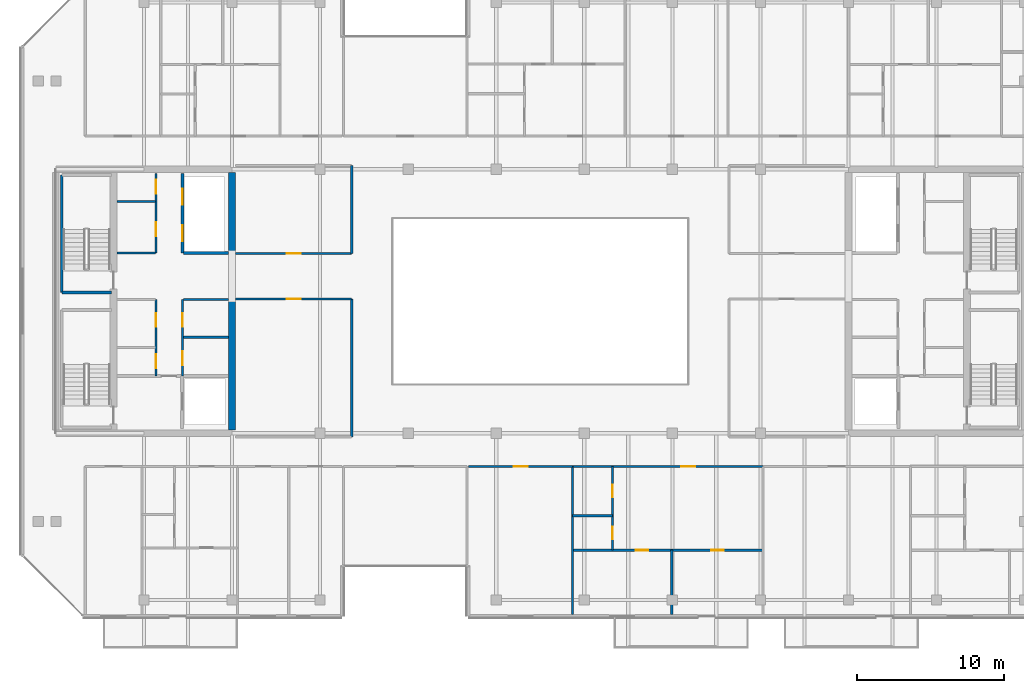
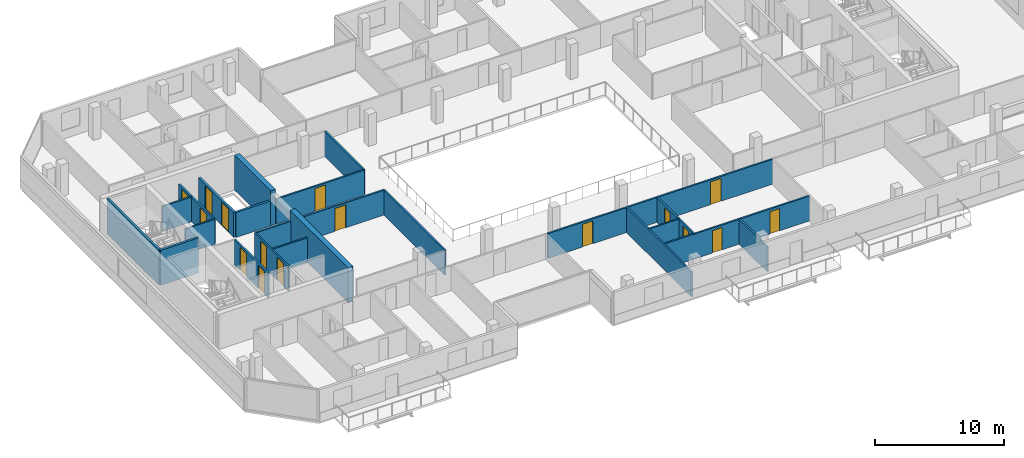
# One storey, part 15 of 24: 24 walls, 16 doors, 16 openings.
"""IFC4 building model written with IfcOpenShell, lengths in metres."""

from ifc_helpers import new_model, si_unit, direction, frame, frame_2d, origin, place, context, subcontext, project, spatial, rectangle, extrude, material, layer, layer_set, type_object, element, fill, save


model = new_model("IFC4")

# Units and contexts
model_context = context("Model", 3, precision=1e-05, world=origin(), true_north=direction((0.0, 1.0)))
body_context = subcontext(model_context, "Body", "Model", "MODEL_VIEW")
ifc_project = project(units=[si_unit("LENGTHUNIT", "METRE"), si_unit("AREAUNIT", "SQUARE_METRE"), si_unit("VOLUMEUNIT", "CUBIC_METRE"), si_unit("PLANEANGLEUNIT", "RADIAN"), si_unit("MASSUNIT", "GRAM", prefix="KILO")], contexts=[model_context])

# Site, building, storey
site_placement = place(None, origin())
site = spatial("IfcSite", under=ifc_project, at=site_placement, CompositionType="ELEMENT")
building_placement = place(site_placement, origin())
building = spatial("IfcBuilding", under=site, at=building_placement, Name="Tanjung Sevakor Pilgrim Tower", CompositionType="ELEMENT")
storey_placement = place(building_placement, frame((0.0, 0.0, 226.050048828125)))
storey = spatial("IfcBuildingStorey", under=building, at=storey_placement, Name="L63", CompositionType="ELEMENT", Elevation=226.050048828125)

# Walls
ifc_material_1 = material(Name="Concrete C60/75", Category="concrete")
ifc_layer_1 = layer(ifc_material_1, 0.449951171875)
ifc_layer_set_1 = layer_set([ifc_layer_1], Name="WALL-CW-450")
wall_type_1 = type_object("IfcWallType", Name="WALL-CW-450", PredefinedType="SHEAR", material=ifc_layer_set_1)
wall_1_placement = place(storey_placement, frame((36.0, 24.824951171875, 0.0), z_axis=(0.0, 0.0, 1.0), x_axis=(0.0, 1.0, 0.0)))
element("IfcWall", 1, at=wall_1_placement, inside=storey, type_object=wall_type_1, Name="L63 W Core Inner Shear Wall South", PredefinedType="SHEAR", context=body_context, shape_type="SweptSolid", body=[
    extrude(rectangle(XDim=8.97509765625, YDim=0.449951171875, at=frame_2d((4.487548828125, 0.0))), origin(), (0.0, 0.0, 1.0), 3.300048828125),
])
wall_2_placement = place(storey_placement, frame((36.0, 36.800048828125, 0.0), z_axis=(0.0, 0.0, 1.0), x_axis=(0.0, 1.0, 0.0)))
element("IfcWall", 2, at=wall_2_placement, inside=storey, type_object=wall_type_1, Name="L63 W Core Inner Shear Wall North", PredefinedType="SHEAR", context=body_context, shape_type="SweptSolid", body=[
    extrude(rectangle(XDim=5.574951171875, YDim=0.449951171875, at=frame_2d((2.78759765625, 0.0))), origin(), (0.0, 0.0, 1.0), 3.300048828125),
])

# Wall, openings, doors
ifc_material_2 = material(Name="Concrete C40/50", Category="concrete")
ifc_layer_2 = layer(ifc_material_2, 0.14990234375)
ifc_layer_set_2 = layer_set([ifc_layer_2], Name="WT-COMP-150")
wall_type_2 = type_object("IfcWallType", Name="WT-COMP-150", PredefinedType="SOLIDWALL", material=ifc_layer_set_2)
wall_3_placement = place(storey_placement, frame((30.820068359375, 28.5, 0.0), z_axis=(0.0, 0.0, 1.0), x_axis=(0.0, 1.0, 0.0)))
wall_3 = element("IfcWall", 3, at=wall_3_placement, inside=storey, type_object=wall_type_2, Name="L63 Partition IW-L63-005", PredefinedType="SOLIDWALL", context=body_context, shape_type="SweptSolid", body=[
    extrude(rectangle(XDim=5.219970703125, YDim=0.14990234375, at=frame_2d((2.60986328125, 0.0))), origin(), (0.0, 0.0, 1.0), 2.35009765625),
])
opening_1_placement = place(wall_3_placement, frame((0.550048828125, 0.0, 0.0)))
opening_1 = element("IfcOpeningElement", 4, at=opening_1_placement, cuts=wall_3, Name="Opening ID-FD2", PredefinedType="OPENING", context=body_context, shape_type="SweptSolid", body=[
    extrude(rectangle(XDim=0.949951171875, YDim=2.14990234375, at=frame_2d((0.47509765625, 1.074951171875))), frame((0.0, 0.0849609375, 0.0), z_axis=(0.0, -1.0, 0.0), x_axis=(1.0, 0.0, 0.0)), (0.0, 0.0, 1.0), 0.169921875),
])
opening_2_placement = place(wall_3_placement, frame((3.35009765625, 0.0, 0.0)))
opening_2 = element("IfcOpeningElement", 5, at=opening_2_placement, cuts=wall_3, Name="Opening ID-FD2", PredefinedType="OPENING", context=body_context, shape_type="SweptSolid", body=[
    extrude(rectangle(XDim=0.949951171875, YDim=2.14990234375, at=frame_2d((0.47509765625, 1.074951171875))), frame((0.0, 0.0849609375, 0.0), z_axis=(0.0, -1.0, 0.0), x_axis=(1.0, 0.0, 0.0)), (0.0, 0.0, 1.0), 0.169921875),
])
ifc_material_3 = material(Name="Fire-Rated Timber", Category="wood")
door_type_1 = type_object("IfcDoorType", Name="DT-FIRE-950", OperationType="NOTDEFINED", PredefinedType="DOOR", material=ifc_material_3)
door_1_placement = place(opening_1_placement, origin())
door_1 = element("IfcDoor", 6, at=door_1_placement, inside=storey, type_object=door_type_1, Name="L63 Cleaner Store Door", OperationType="SINGLE_SWING_RIGHT", OverallHeight=2.14990234375, OverallWidth=0.949951171875, PredefinedType="DOOR", context=body_context, shape_type="SweptSolid", body=[
    extrude(rectangle(XDim=0.949951171875, YDim=2.14990234375, at=frame_2d((0.47509765625, 1.074951171875))), frame((0.0, 0.02490234375, 0.0), z_axis=(0.0, -1.0, 0.0), x_axis=(1.0, 0.0, 0.0)), (0.0, 0.0, 1.0), 0.050048828125),
])
fill(opening_1, door_1)
door_2_placement = place(opening_2_placement, origin())
door_2 = element("IfcDoor", 7, at=door_2_placement, inside=storey, type_object=door_type_1, Name="L63 Housekeeping Pantry Door", OperationType="SINGLE_SWING_LEFT", OverallHeight=2.14990234375, OverallWidth=0.949951171875, PredefinedType="DOOR", context=body_context, shape_type="SweptSolid", body=[
    extrude(rectangle(XDim=0.949951171875, YDim=2.14990234375, at=frame_2d((0.47509765625, 1.074951171875))), frame((0.0, 0.02490234375, 0.0), z_axis=(0.0, -1.0, 0.0), x_axis=(1.0, 0.0, 0.0)), (0.0, 0.0, 1.0), 0.050048828125),
])
fill(opening_2, door_2)

# Walls
for number, where, z_axis, x_axis, name in (
    (8, (32.679931640625, 31.14990234375, 0.0), (0.0, 0.0, 1.0), (1.0, 0.0, 0.0), "L63 Partition IW-L63-006"),
    (9, (32.679931640625, 33.719970703125, 0.0), (0.0, 0.0, 1.0), (1.0, 0.0, 0.0), "L63 Partition IW-L63-007"),
):
    element("IfcWall", number, at=place(storey_placement, frame(where, z_axis=z_axis, x_axis=x_axis)), inside=storey, type_object=wall_type_2, Name=name, PredefinedType="SOLIDWALL", context=body_context, shape_type="SweptSolid", body=[
        extrude(rectangle(XDim=3.074951171875, YDim=0.14990234375, at=frame_2d((1.53759765625, 0.0))), origin(), (0.0, 0.0, 1.0), 2.35009765625),
    ])

# Wall, openings, doors
wall_4_placement = place(storey_placement, frame((32.6201171875, 28.5, 0.0), z_axis=(0.0, 0.0, 1.0), x_axis=(0.0, 1.0, 0.0)))
wall_4 = element("IfcWall", 10, at=wall_4_placement, inside=storey, type_object=wall_type_2, Name="L63 Partition IW-L63-008", PredefinedType="SOLIDWALL", context=body_context, shape_type="SweptSolid", body=[
    extrude(rectangle(XDim=5.219970703125, YDim=0.14990234375, at=frame_2d((2.60986328125, 0.0))), origin(), (0.0, 0.0, 1.0), 2.35009765625),
])
opening_3_placement = place(wall_4_placement, frame((0.75, 0.0, 0.0)))
opening_3 = element("IfcOpeningElement", 11, at=opening_3_placement, cuts=wall_4, Name="Opening ID-FD2", PredefinedType="OPENING", context=body_context, shape_type="SweptSolid", body=[
    extrude(rectangle(XDim=0.949951171875, YDim=2.14990234375, at=frame_2d((0.47509765625, 1.074951171875))), frame((0.0, 0.0849609375, 0.0), z_axis=(0.0, -1.0, 0.0), x_axis=(1.0, 0.0, 0.0)), (0.0, 0.0, 1.0), 0.169921875),
])
opening_4_placement = place(wall_4_placement, frame((3.35009765625, 0.0, 0.0)))
opening_4 = element("IfcOpeningElement", 12, at=opening_4_placement, cuts=wall_4, Name="Opening ID-FD2", PredefinedType="OPENING", context=body_context, shape_type="SweptSolid", body=[
    extrude(rectangle(XDim=0.949951171875, YDim=2.14990234375, at=frame_2d((0.47509765625, 1.074951171875))), frame((0.0, 0.0849609375, 0.0), z_axis=(0.0, -1.0, 0.0), x_axis=(1.0, 0.0, 0.0)), (0.0, 0.0, 1.0), 0.169921875),
])
door_3_placement = place(opening_3_placement, origin())
door_3 = element("IfcDoor", 13, at=door_3_placement, inside=storey, type_object=door_type_1, Name="L63 Accessible WC Door", OperationType="SINGLE_SWING_RIGHT", OverallHeight=2.14990234375, OverallWidth=0.949951171875, PredefinedType="DOOR", context=body_context, shape_type="SweptSolid", body=[
    extrude(rectangle(XDim=0.949951171875, YDim=2.14990234375, at=frame_2d((0.47509765625, 1.074951171875))), frame((0.0, 0.02490234375, 0.0), z_axis=(0.0, -1.0, 0.0), x_axis=(1.0, 0.0, 0.0)), (0.0, 0.0, 1.0), 0.050048828125),
])
fill(opening_3, door_3)
door_4_placement = place(opening_4_placement, origin())
door_4 = element("IfcDoor", 14, at=door_4_placement, inside=storey, type_object=door_type_1, Name="L63 Core Service Door", OperationType="SINGLE_SWING_LEFT", OverallHeight=2.14990234375, OverallWidth=0.949951171875, PredefinedType="DOOR", context=body_context, shape_type="SweptSolid", body=[
    extrude(rectangle(XDim=0.949951171875, YDim=2.14990234375, at=frame_2d((0.47509765625, 1.074951171875))), frame((0.0, 0.02490234375, 0.0), z_axis=(0.0, -1.0, 0.0), x_axis=(1.0, 0.0, 0.0)), (0.0, 0.0, 1.0), 0.050048828125),
])
fill(opening_4, door_4)

# Walls
for number, where, z_axis, x_axis, name in (
    (15, (28.169921875, 36.8798828125, 0.0), (0.0, 0.0, 1.0), (1.0, 0.0, 0.0), "L63 Partition IW-L63-009"),
    (16, (28.169921875, 40.389892578125, 0.0), (0.0, 0.0, 1.0), (1.0, 0.0, 0.0), "L63 Partition IW-L63-010"),
):
    element("IfcWall", number, at=place(storey_placement, frame(where, z_axis=z_axis, x_axis=x_axis)), inside=storey, type_object=wall_type_2, Name=name, PredefinedType="SOLIDWALL", context=body_context, shape_type="SweptSolid", body=[
        extrude(rectangle(XDim=2.630126953125, YDim=0.14990234375, at=frame_2d((1.31494140625, 0.0))), origin(), (0.0, 0.0, 1.0), 2.35009765625),
    ])

# Wall, openings, doors
wall_5_placement = place(storey_placement, frame((30.820068359375, 36.8798828125, 0.0), z_axis=(0.0, 0.0, 1.0), x_axis=(0.0, 1.0, 0.0)))
wall_5 = element("IfcWall", 17, at=wall_5_placement, inside=storey, type_object=wall_type_2, Name="L63 Partition IW-L63-011", PredefinedType="SOLIDWALL", context=body_context, shape_type="SweptSolid", body=[
    extrude(rectangle(XDim=5.420166015625, YDim=0.14990234375, at=frame_2d((2.7099609375, 0.0))), origin(), (0.0, 0.0, 1.0), 2.35009765625),
])
opening_5_placement = place(wall_5_placement, frame((1.14990234375, 0.0, 0.0)))
opening_5 = element("IfcOpeningElement", 18, at=opening_5_placement, cuts=wall_5, Name="Opening ID-FD2", PredefinedType="OPENING", context=body_context, shape_type="SweptSolid", body=[
    extrude(rectangle(XDim=0.949951171875, YDim=2.14990234375, at=frame_2d((0.47509765625, 1.074951171875))), frame((0.0, 0.0849609375, 0.0), z_axis=(0.0, -1.0, 0.0), x_axis=(1.0, 0.0, 0.0)), (0.0, 0.0, 1.0), 0.169921875),
])
opening_6_placement = place(wall_5_placement, frame((4.050048828125, 0.0, 0.0)))
opening_6 = element("IfcOpeningElement", 19, at=opening_6_placement, cuts=wall_5, Name="Opening ID-FD2", PredefinedType="OPENING", context=body_context, shape_type="SweptSolid", body=[
    extrude(rectangle(XDim=0.949951171875, YDim=2.14990234375, at=frame_2d((0.47509765625, 1.074951171875))), frame((0.0, 0.0849609375, 0.0), z_axis=(0.0, -1.0, 0.0), x_axis=(1.0, 0.0, 0.0)), (0.0, 0.0, 1.0), 0.169921875),
])
door_5_placement = place(opening_5_placement, origin())
door_5 = element("IfcDoor", 20, at=door_5_placement, inside=storey, type_object=door_type_1, Name="L63 Core Study Room Door", OperationType="SINGLE_SWING_RIGHT", OverallHeight=2.14990234375, OverallWidth=0.949951171875, PredefinedType="DOOR", context=body_context, shape_type="SweptSolid", body=[
    extrude(rectangle(XDim=0.949951171875, YDim=2.14990234375, at=frame_2d((0.47509765625, 1.074951171875))), frame((0.0, 0.02490234375, 0.0), z_axis=(0.0, -1.0, 0.0), x_axis=(1.0, 0.0, 0.0)), (0.0, 0.0, 1.0), 0.050048828125),
])
fill(opening_5, door_5)
door_6_placement = place(opening_6_placement, origin())
door_6 = element("IfcDoor", 21, at=door_6_placement, inside=storey, type_object=door_type_1, Name="L63 Service Store Door", OperationType="SINGLE_SWING_LEFT", OverallHeight=2.14990234375, OverallWidth=0.949951171875, PredefinedType="DOOR", context=body_context, shape_type="SweptSolid", body=[
    extrude(rectangle(XDim=0.949951171875, YDim=2.14990234375, at=frame_2d((0.47509765625, 1.074951171875))), frame((0.0, 0.02490234375, 0.0), z_axis=(0.0, -1.0, 0.0), x_axis=(1.0, 0.0, 0.0)), (0.0, 0.0, 1.0), 0.050048828125),
])
fill(opening_6, door_6)

# Wall, opening, door
wall_6_placement = place(storey_placement, frame((36.2451171875, 33.75, 0.0), z_axis=(0.0, 0.0, 1.0), x_axis=(1.0, 0.0, 0.0)))
wall_6 = element("IfcWall", 22, at=wall_6_placement, inside=storey, type_object=wall_type_2, Name="L63 Partition IW-L63-028", PredefinedType="SOLIDWALL", context=body_context, shape_type="SweptSolid", body=[
    extrude(rectangle(XDim=7.90478515625, YDim=0.14990234375, at=frame_2d((3.952392578125, 0.0))), origin(), (0.0, 0.0, 1.0), 2.35009765625),
])
opening_7_placement = place(wall_6_placement, frame((3.4775390625, 0.0, 0.0)))
opening_7 = element("IfcOpeningElement", 23, at=opening_7_placement, cuts=wall_6, Name="Opening ID-RM1", PredefinedType="OPENING", context=body_context, shape_type="SweptSolid", body=[
    extrude(rectangle(XDim=0.949951171875, YDim=2.14990234375, at=frame_2d((0.47509765625, 1.074951171875))), frame((0.0, 0.0849609375, 0.0), z_axis=(0.0, -1.0, 0.0), x_axis=(1.0, 0.0, 0.0)), (0.0, 0.0, 1.0), 0.169921875),
])
ifc_material_4 = material(Name="Hardwood Timber", Category="wood")
door_type_2 = type_object("IfcDoorType", Name="DT-INT-950", OperationType="NOTDEFINED", PredefinedType="DOOR", material=ifc_material_4)
door_7_placement = place(opening_7_placement, origin())
door_7 = element("IfcDoor", 24, at=door_7_placement, inside=storey, type_object=door_type_2, Name="L63 West Inboard South Door", OperationType="SINGLE_SWING_RIGHT", OverallHeight=2.14990234375, OverallWidth=0.949951171875, PredefinedType="DOOR", context=body_context, shape_type="SweptSolid", body=[
    extrude(rectangle(XDim=0.949951171875, YDim=2.14990234375, at=frame_2d((0.47509765625, 1.074951171875))), frame((0.0, 0.02490234375, 0.0), z_axis=(0.0, -1.0, 0.0), x_axis=(1.0, 0.0, 0.0)), (0.0, 0.0, 1.0), 0.050048828125),
])
fill(opening_7, door_7)

# Wall
wall_7_placement = place(storey_placement, frame((44.14990234375, 24.35009765625, 0.0), z_axis=(0.0, 0.0, 1.0), x_axis=(0.0, 1.0, 0.0)))
element("IfcWall", 25, at=wall_7_placement, inside=storey, type_object=wall_type_2, Name="L63 Partition IW-L63-029", PredefinedType="SOLIDWALL", context=body_context, shape_type="SweptSolid", body=[
    extrude(rectangle(XDim=9.39990234375, YDim=0.14990234375, at=frame_2d((4.699951171875, 0.0))), origin(), (0.0, 0.0, 1.0), 2.35009765625),
])

# Wall, opening, door
wall_8_placement = place(storey_placement, frame((36.2451171875, 36.85009765625, 0.0), z_axis=(0.0, 0.0, 1.0), x_axis=(1.0, 0.0, 0.0)))
wall_8 = element("IfcWall", 26, at=wall_8_placement, inside=storey, type_object=wall_type_2, Name="L63 Partition IW-L63-030", PredefinedType="SOLIDWALL", context=body_context, shape_type="SweptSolid", body=[
    extrude(rectangle(XDim=7.90478515625, YDim=0.14990234375, at=frame_2d((3.952392578125, 0.0))), origin(), (0.0, 0.0, 1.0), 2.35009765625),
])
opening_8_placement = place(wall_8_placement, frame((3.4775390625, 0.0, 0.0)))
opening_8 = element("IfcOpeningElement", 27, at=opening_8_placement, cuts=wall_8, Name="Opening ID-RM1", PredefinedType="OPENING", context=body_context, shape_type="SweptSolid", body=[
    extrude(rectangle(XDim=0.949951171875, YDim=2.14990234375, at=frame_2d((0.47509765625, 1.074951171875))), frame((0.0, 0.0849609375, 0.0), z_axis=(0.0, -1.0, 0.0), x_axis=(1.0, 0.0, 0.0)), (0.0, 0.0, 1.0), 0.169921875),
])
door_8_placement = place(opening_8_placement, origin())
door_8 = element("IfcDoor", 28, at=door_8_placement, inside=storey, type_object=door_type_2, Name="L63 West Inboard North Door", OperationType="SINGLE_SWING_LEFT", OverallHeight=2.14990234375, OverallWidth=0.949951171875, PredefinedType="DOOR", context=body_context, shape_type="SweptSolid", body=[
    extrude(rectangle(XDim=0.949951171875, YDim=2.14990234375, at=frame_2d((0.47509765625, 1.074951171875))), frame((0.0, 0.02490234375, 0.0), z_axis=(0.0, -1.0, 0.0), x_axis=(1.0, 0.0, 0.0)), (0.0, 0.0, 1.0), 0.050048828125),
])
fill(opening_8, door_8)

# Walls
wall_9_placement = place(storey_placement, frame((44.14990234375, 36.85009765625, 0.0), z_axis=(0.0, 0.0, 1.0), x_axis=(0.0, 1.0, 0.0)))
element("IfcWall", 29, at=wall_9_placement, inside=storey, type_object=wall_type_2, Name="L63 Partition IW-L63-032", PredefinedType="SOLIDWALL", context=body_context, shape_type="SweptSolid", body=[
    extrude(rectangle(XDim=6.0, YDim=0.14990234375, at=frame_2d((3.0, 0.0))), origin(), (0.0, 0.0, 1.0), 2.35009765625),
])
wall_10_placement = place(storey_placement, frame((59.20166015625, 12.27001953125, 0.0), z_axis=(0.0, 0.0, 1.0), x_axis=(0.0, 1.0, 0.0)))
element("IfcWall", 30, at=wall_10_placement, inside=storey, type_object=wall_type_2, Name="L63 Partition IW-L63-057", PredefinedType="SOLIDWALL", context=body_context, shape_type="SweptSolid", body=[
    extrude(rectangle(XDim=10.080078125, YDim=0.14990234375, at=frame_2d((5.0400390625, 0.0))), origin(), (0.0, 0.0, 1.0), 2.35009765625),
])

# Wall, opening, door
wall_11_placement = place(storey_placement, frame((52.1201171875, 22.35009765625, 0.0), z_axis=(0.0, 0.0, 1.0), x_axis=(1.0, 0.0, 0.0)))
wall_11 = element("IfcWall", 31, at=wall_11_placement, inside=storey, type_object=wall_type_2, Name="L63 Partition IW-L63-058", PredefinedType="SOLIDWALL", context=body_context, shape_type="SweptSolid", body=[
    extrude(rectangle(XDim=7.08154296875, YDim=0.14990234375, at=frame_2d((3.540771484375, 0.0))), origin(), (0.0, 0.0, 1.0), 2.35009765625),
])
opening_9_placement = place(wall_11_placement, frame((3.06591796875, 0.0, 0.0)))
opening_9 = element("IfcOpeningElement", 32, at=opening_9_placement, cuts=wall_11, Name="Opening ID-FD2", PredefinedType="OPENING", context=body_context, shape_type="SweptSolid", body=[
    extrude(rectangle(XDim=0.949951171875, YDim=2.14990234375, at=frame_2d((0.47509765625, 1.074951171875))), frame((0.0, 0.0849609375, 0.0), z_axis=(0.0, -1.0, 0.0), x_axis=(1.0, 0.0, 0.0)), (0.0, 0.0, 1.0), 0.169921875),
])
door_9_placement = place(opening_9_placement, origin())
door_9 = element("IfcDoor", 33, at=door_9_placement, inside=storey, type_object=door_type_1, Name="Housekeeping Pantry Door", OperationType="SINGLE_SWING_LEFT", OverallHeight=2.14990234375, OverallWidth=0.949951171875, PredefinedType="DOOR", context=body_context, shape_type="SweptSolid", body=[
    extrude(rectangle(XDim=0.949951171875, YDim=2.14990234375, at=frame_2d((0.47509765625, 1.074951171875))), frame((0.0, 0.02490234375, 0.0), z_axis=(0.0, -1.0, 0.0), x_axis=(1.0, 0.0, 0.0)), (0.0, 0.0, 1.0), 0.050048828125),
])
fill(opening_9, door_9)

wall_12_placement = place(storey_placement, frame((59.20166015625, 22.35009765625, 0.0), z_axis=(0.0, 0.0, 1.0), x_axis=(1.0, 0.0, 0.0)))
wall_12 = element("IfcWall", 34, at=wall_12_placement, inside=storey, type_object=wall_type_2, Name="L63 Partition IW-L63-064", PredefinedType="SOLIDWALL", context=body_context, shape_type="SweptSolid", body=[
    extrude(rectangle(XDim=12.98291015625, YDim=0.14990234375, at=frame_2d((6.491455078125, 0.0))), origin(), (0.0, 0.0, 1.0), 2.35009765625),
])
opening_10_placement = place(wall_12_placement, frame((7.415771484375, 0.0, 0.0)))
opening_10 = element("IfcOpeningElement", 35, at=opening_10_placement, cuts=wall_12, Name="Opening ID-FD2", PredefinedType="OPENING", context=body_context, shape_type="SweptSolid", body=[
    extrude(rectangle(XDim=0.949951171875, YDim=2.14990234375, at=frame_2d((0.47509765625, 1.074951171875))), frame((0.0, 0.0849609375, 0.0), z_axis=(0.0, -1.0, 0.0), x_axis=(1.0, 0.0, 0.0)), (0.0, 0.0, 1.0), 0.169921875),
])
door_10_placement = place(opening_10_placement, origin())
door_10 = element("IfcDoor", 36, at=door_10_placement, inside=storey, type_object=door_type_1, Name="Suite Entrance", OperationType="SINGLE_SWING_RIGHT", OverallHeight=2.14990234375, OverallWidth=0.949951171875, PredefinedType="DOOR", context=body_context, shape_type="SweptSolid", body=[
    extrude(rectangle(XDim=0.949951171875, YDim=2.14990234375, at=frame_2d((0.47509765625, 1.074951171875))), frame((0.0, 0.02490234375, 0.0), z_axis=(0.0, -1.0, 0.0), x_axis=(1.0, 0.0, 0.0)), (0.0, 0.0, 1.0), 0.050048828125),
])
fill(opening_10, door_10)

# Walls
ifc_material_5 = material(Name="Concrete C40/50", Category="concrete")
ifc_layer_3 = layer(ifc_material_5, 0.199951171875)
ifc_layer_set_3 = layer_set([ifc_layer_3], Name="WT-FIRE-200")
wall_type_3 = type_object("IfcWallType", Name="WT-FIRE-200", PredefinedType="SOLIDWALL", material=ifc_layer_set_3)
wall_13_placement = place(storey_placement, frame((24.39990234375, 34.199951171875, 0.0), z_axis=(0.0, 0.0, 1.0), x_axis=(1.0, 0.0, 0.0)))
element("IfcWall", 37, at=wall_13_placement, inside=storey, type_object=wall_type_3, Name="L63 TS-W2 Shaft Wall 1", PredefinedType="SOLIDWALL", context=body_context, shape_type="SweptSolid", body=[
    extrude(rectangle(XDim=3.400146484375, YDim=0.199951171875, at=frame_2d((1.7001953125, 0.0))), origin(), (0.0, 0.0, 1.0), 3.300048828125),
])
wall_14_placement = place(storey_placement, frame((24.39990234375, 42.199951171875, 0.0), z_axis=(0.0, 0.0, 1.0), x_axis=(0.0, -1.0, 0.0)))
element("IfcWall", 38, at=wall_14_placement, inside=storey, type_object=wall_type_3, Name="L63 TS-W2 Shaft Wall 3", PredefinedType="SOLIDWALL", context=body_context, shape_type="SweptSolid", body=[
    extrude(rectangle(XDim=8.0, YDim=0.199951171875, at=frame_2d((4.0, 0.0))), origin(), (0.0, 0.0, 1.0), 3.300048828125),
])
ifc_material_6 = material(Name="Concrete C40/50", Category="concrete")
ifc_layer_4 = layer(ifc_material_6, 0.199951171875)
ifc_layer_set_4 = layer_set([ifc_layer_4], Name="WT-FPRT-200")
wall_type_4 = type_object("IfcWallType", Name="WT-FPRT-200", PredefinedType="SOLIDWALL", material=ifc_layer_set_4)
wall_15_placement = place(storey_placement, frame((32.679931640625, 36.8798828125, 0.0), z_axis=(0.0, 0.0, 1.0), x_axis=(1.0, 0.0, 0.0)))
element("IfcWall", 39, at=wall_15_placement, inside=storey, type_object=wall_type_4, Name="L63 Partition IW-L63-012", PredefinedType="SOLIDWALL", context=body_context, shape_type="SweptSolid", body=[
    extrude(rectangle(XDim=3.074951171875, YDim=0.199951171875, at=frame_2d((1.53759765625, 0.0))), origin(), (0.0, 0.0, 1.0), 2.35009765625),
])

# Wall, openings, doors
wall_16_placement = place(storey_placement, frame((32.6201171875, 36.8798828125, 0.0), z_axis=(0.0, 0.0, 1.0), x_axis=(0.0, 1.0, 0.0)))
wall_16 = element("IfcWall", 40, at=wall_16_placement, inside=storey, type_object=wall_type_4, Name="L63 Partition IW-L63-013", PredefinedType="SOLIDWALL", context=body_context, shape_type="SweptSolid", body=[
    extrude(rectangle(XDim=5.420166015625, YDim=0.199951171875, at=frame_2d((2.7099609375, 0.0))), origin(), (0.0, 0.0, 1.0), 2.35009765625),
])
opening_11_placement = place(wall_16_placement, frame((0.800048828125, 0.0, 0.0)))
opening_11 = element("IfcOpeningElement", 41, at=opening_11_placement, cuts=wall_16, Name="Opening LD-1100", PredefinedType="OPENING", context=body_context, shape_type="SweptSolid", body=[
    extrude(rectangle(XDim=1.10009765625, YDim=2.199951171875, at=frame_2d((0.550048828125, 1.10009765625))), frame((0.0, 0.10986328125, 0.0), z_axis=(0.0, -1.0, 0.0), x_axis=(1.0, 0.0, 0.0)), (0.0, 0.0, 1.0), 0.219970703125),
])
opening_12_placement = place(wall_16_placement, frame((3.300048828125, 0.0, 0.0)))
opening_12 = element("IfcOpeningElement", 42, at=opening_12_placement, cuts=wall_16, Name="Opening LD-1100", PredefinedType="OPENING", context=body_context, shape_type="SweptSolid", body=[
    extrude(rectangle(XDim=1.10009765625, YDim=2.199951171875, at=frame_2d((0.550048828125, 1.10009765625))), frame((0.0, 0.10986328125, 0.0), z_axis=(0.0, -1.0, 0.0), x_axis=(1.0, 0.0, 0.0)), (0.0, 0.0, 1.0), 0.219970703125),
])
ifc_material_7 = material(Name="Brushed Stainless Steel S355J2", Category="steel")
door_type_3 = type_object("IfcDoorType", Name="DT-LIFT-1100", OperationType="SLIDING_TO_LEFT", PredefinedType="DOOR", material=ifc_material_7)
door_11_placement = place(opening_11_placement, origin())
door_11 = element("IfcDoor", 43, at=door_11_placement, inside=storey, type_object=door_type_3, Name="LD-PLH1-W", OperationType="SLIDING_TO_LEFT", OverallHeight=2.199951171875, OverallWidth=1.10009765625, PredefinedType="DOOR", context=body_context, shape_type="SweptSolid", body=[
    extrude(rectangle(XDim=1.10009765625, YDim=2.199951171875, at=frame_2d((0.550048828125, 1.10009765625))), frame((0.0, 0.02490234375, 0.0), z_axis=(0.0, -1.0, 0.0), x_axis=(1.0, 0.0, 0.0)), (0.0, 0.0, 1.0), 0.050048828125),
])
fill(opening_11, door_11)
door_12_placement = place(opening_12_placement, origin())
door_12 = element("IfcDoor", 44, at=door_12_placement, inside=storey, type_object=door_type_3, Name="LD-PLH2-W", OperationType="SLIDING_TO_RIGHT", OverallHeight=2.199951171875, OverallWidth=1.10009765625, PredefinedType="DOOR", context=body_context, shape_type="SweptSolid", body=[
    extrude(rectangle(XDim=1.10009765625, YDim=2.199951171875, at=frame_2d((0.550048828125, 1.10009765625))), frame((0.0, 0.02490234375, 0.0), z_axis=(0.0, -1.0, 0.0), x_axis=(1.0, 0.0, 0.0)), (0.0, 0.0, 1.0), 0.050048828125),
])
fill(opening_12, door_12)

# Wall
ifc_material_8 = material(Name="Gypsum Board Partition", Category="gypsum board")
ifc_layer_5 = layer(ifc_material_8, 0.14990234375)
ifc_layer_set_5 = layer_set([ifc_layer_5], Name="WT-PART-150")
wall_type_5 = type_object("IfcWallType", Name="WT-PART-150", PredefinedType="PARTITIONING", material=ifc_layer_set_5)
wall_17_placement = place(storey_placement, frame((59.20166015625, 18.98095703125, 0.0), z_axis=(0.0, 0.0, 1.0), x_axis=(1.0, 0.0, 0.0)))
element("IfcWall", 45, at=wall_17_placement, inside=storey, type_object=wall_type_5, Name="L63 Partition IW-L63-060", PredefinedType="PARTITIONING", context=body_context, shape_type="SweptSolid", body=[
    extrude(rectangle(XDim=2.71826171875, YDim=0.14990234375, at=frame_2d((1.359130859375, 0.0))), origin(), (0.0, 0.0, 1.0), 2.35009765625),
])

# Wall, openings, doors
wall_18_placement = place(storey_placement, frame((61.919921875, 16.6396484375, 0.0), z_axis=(0.0, 0.0, 1.0), x_axis=(0.0, 1.0, 0.0)))
wall_18 = element("IfcWall", 46, at=wall_18_placement, inside=storey, type_object=wall_type_5, Name="L63 Partition IW-L63-061", PredefinedType="PARTITIONING", context=body_context, shape_type="SweptSolid", body=[
    extrude(rectangle(XDim=5.71044921875, YDim=0.14990234375, at=frame_2d((2.855224609375, 0.0))), origin(), (0.0, 0.0, 1.0), 2.35009765625),
])
opening_13_placement = place(wall_18_placement, frame((0.74560546875, 0.0, 0.0)))
opening_13 = element("IfcOpeningElement", 47, at=opening_13_placement, cuts=wall_18, Name="Opening ID-WC1", PredefinedType="OPENING", context=body_context, shape_type="SweptSolid", body=[
    extrude(rectangle(XDim=0.85009765625, YDim=2.10009765625, at=frame_2d((0.425048828125, 1.050048828125))), frame((0.0, 0.0849609375, 0.0), z_axis=(0.0, -1.0, 0.0), x_axis=(1.0, 0.0, 0.0)), (0.0, 0.0, 1.0), 0.169921875),
])
opening_14_placement = place(wall_18_placement, frame((3.600830078125, 0.0, 0.0)))
opening_14 = element("IfcOpeningElement", 48, at=opening_14_placement, cuts=wall_18, Name="Opening ID-WC1", PredefinedType="OPENING", context=body_context, shape_type="SweptSolid", body=[
    extrude(rectangle(XDim=0.85009765625, YDim=2.10009765625, at=frame_2d((0.425048828125, 1.050048828125))), frame((0.0, 0.0849609375, 0.0), z_axis=(0.0, -1.0, 0.0), x_axis=(1.0, 0.0, 0.0)), (0.0, 0.0, 1.0), 0.169921875),
])
ifc_material_9 = material(Name="Moisture-Resistant Timber", Category="wood")
door_type_4 = type_object("IfcDoorType", Name="DT-INT-850", OperationType="NOTDEFINED", PredefinedType="DOOR", material=ifc_material_9)
door_13_placement = place(opening_13_placement, origin())
door_13 = element("IfcDoor", 49, at=door_13_placement, inside=storey, type_object=door_type_4, Name="Suite Bathroom Door", OperationType="SINGLE_SWING_RIGHT", OverallHeight=2.10009765625, OverallWidth=0.85009765625, PredefinedType="DOOR", context=body_context, shape_type="SweptSolid", body=[
    extrude(rectangle(XDim=0.85009765625, YDim=2.10009765625, at=frame_2d((0.425048828125, 1.050048828125))), frame((0.0, 0.02490234375, 0.0), z_axis=(0.0, -1.0, 0.0), x_axis=(1.0, 0.0, 0.0)), (0.0, 0.0, 1.0), 0.050048828125),
])
fill(opening_13, door_13)
door_14_placement = place(opening_14_placement, origin())
door_14 = element("IfcDoor", 50, at=door_14_placement, inside=storey, type_object=door_type_4, Name="Suite Kitchenette Door", OperationType="SINGLE_SWING_LEFT", OverallHeight=2.10009765625, OverallWidth=0.85009765625, PredefinedType="DOOR", context=body_context, shape_type="SweptSolid", body=[
    extrude(rectangle(XDim=0.85009765625, YDim=2.10009765625, at=frame_2d((0.425048828125, 1.050048828125))), frame((0.0, 0.02490234375, 0.0), z_axis=(0.0, -1.0, 0.0), x_axis=(1.0, 0.0, 0.0)), (0.0, 0.0, 1.0), 0.050048828125),
])
fill(opening_14, door_14)

# Wall
wall_19_placement = place(storey_placement, frame((65.952880859375, 12.27001953125, 0.0), z_axis=(0.0, 0.0, 1.0), x_axis=(0.0, 1.0, 0.0)))
element("IfcWall", 51, at=wall_19_placement, inside=storey, type_object=wall_type_5, Name="L63 Partition IW-L63-062", PredefinedType="PARTITIONING", context=body_context, shape_type="SweptSolid", body=[
    extrude(rectangle(XDim=4.36962890625, YDim=0.14990234375, at=frame_2d((2.184814453125, 0.0))), origin(), (0.0, 0.0, 1.0), 2.35009765625),
])

# Wall, openings, doors
wall_20_placement = place(storey_placement, frame((59.20166015625, 16.6396484375, 0.0), z_axis=(0.0, 0.0, 1.0), x_axis=(1.0, 0.0, 0.0)))
wall_20 = element("IfcWall", 52, at=wall_20_placement, inside=storey, type_object=wall_type_5, Name="L63 Partition IW-L63-063", PredefinedType="PARTITIONING", context=body_context, shape_type="SweptSolid", body=[
    extrude(rectangle(XDim=12.98291015625, YDim=0.14990234375, at=frame_2d((6.491455078125, 0.0))), origin(), (0.0, 0.0, 1.0), 2.35009765625),
])
opening_15_placement = place(wall_20_placement, frame((4.309814453125, 0.0, 0.0)))
opening_15 = element("IfcOpeningElement", 53, at=opening_15_placement, cuts=wall_20, Name="Opening ID-WC1", PredefinedType="OPENING", context=body_context, shape_type="SweptSolid", body=[
    extrude(rectangle(XDim=0.85009765625, YDim=2.10009765625, at=frame_2d((0.425048828125, 1.050048828125))), frame((0.0, 0.0849609375, 0.0), z_axis=(0.0, -1.0, 0.0), x_axis=(1.0, 0.0, 0.0)), (0.0, 0.0, 1.0), 0.169921875),
])
opening_16_placement = place(wall_20_placement, frame((9.442138671875, 0.0, 0.0)))
opening_16 = element("IfcOpeningElement", 54, at=opening_16_placement, cuts=wall_20, Name="Opening ID-WC1", PredefinedType="OPENING", context=body_context, shape_type="SweptSolid", body=[
    extrude(rectangle(XDim=0.85009765625, YDim=2.10009765625, at=frame_2d((0.425048828125, 1.050048828125))), frame((0.0, 0.0849609375, 0.0), z_axis=(0.0, -1.0, 0.0), x_axis=(1.0, 0.0, 0.0)), (0.0, 0.0, 1.0), 0.169921875),
])
door_15_placement = place(opening_15_placement, origin())
door_15 = element("IfcDoor", 55, at=door_15_placement, inside=storey, type_object=door_type_4, Name="Suite Bedroom 1 Door", OperationType="SINGLE_SWING_RIGHT", OverallHeight=2.10009765625, OverallWidth=0.85009765625, PredefinedType="DOOR", context=body_context, shape_type="SweptSolid", body=[
    extrude(rectangle(XDim=0.85009765625, YDim=2.10009765625, at=frame_2d((0.425048828125, 1.050048828125))), frame((0.0, 0.02490234375, 0.0), z_axis=(0.0, -1.0, 0.0), x_axis=(1.0, 0.0, 0.0)), (0.0, 0.0, 1.0), 0.050048828125),
])
fill(opening_15, door_15)
door_16_placement = place(opening_16_placement, origin())
door_16 = element("IfcDoor", 56, at=door_16_placement, inside=storey, type_object=door_type_4, Name="Suite Bedroom 2 Door", OperationType="SINGLE_SWING_LEFT", OverallHeight=2.10009765625, OverallWidth=0.85009765625, PredefinedType="DOOR", context=body_context, shape_type="SweptSolid", body=[
    extrude(rectangle(XDim=0.85009765625, YDim=2.10009765625, at=frame_2d((0.425048828125, 1.050048828125))), frame((0.0, 0.02490234375, 0.0), z_axis=(0.0, -1.0, 0.0), x_axis=(1.0, 0.0, 0.0)), (0.0, 0.0, 1.0), 0.050048828125),
])
fill(opening_16, door_16)

save(model, "model.ifc")
